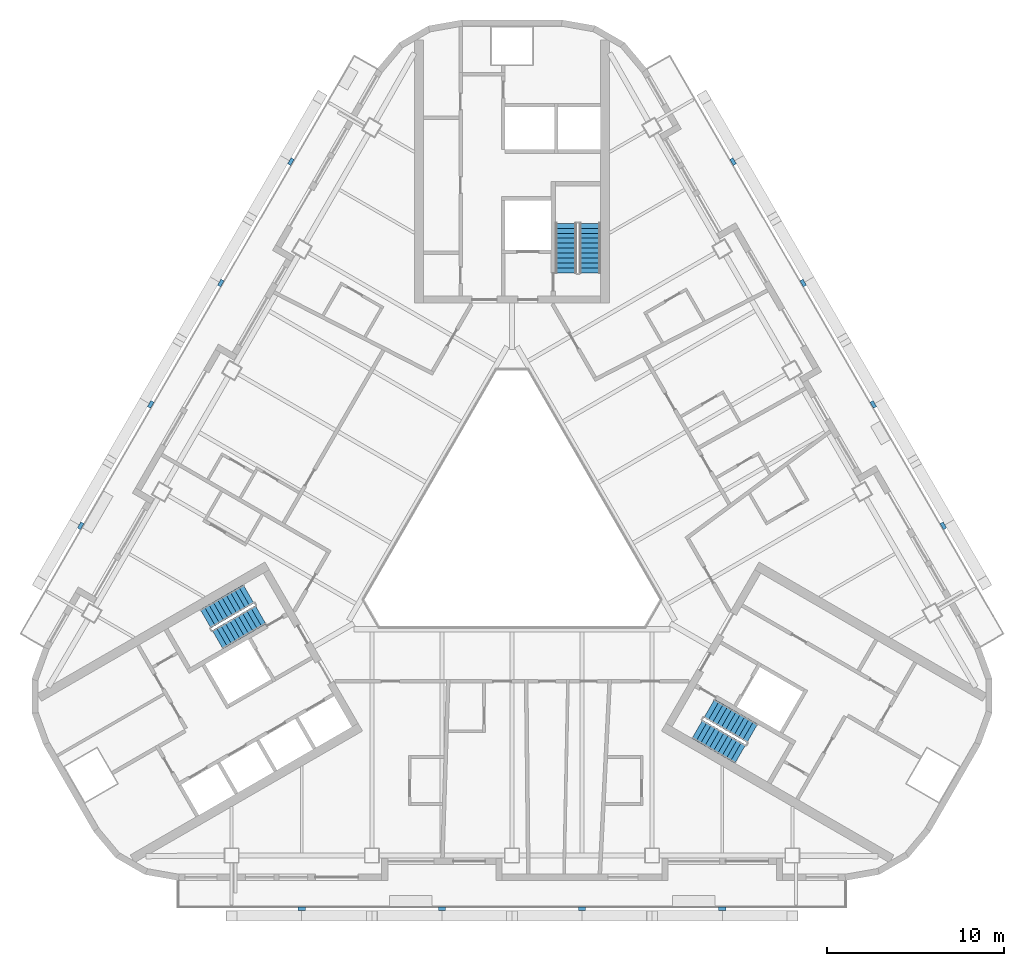
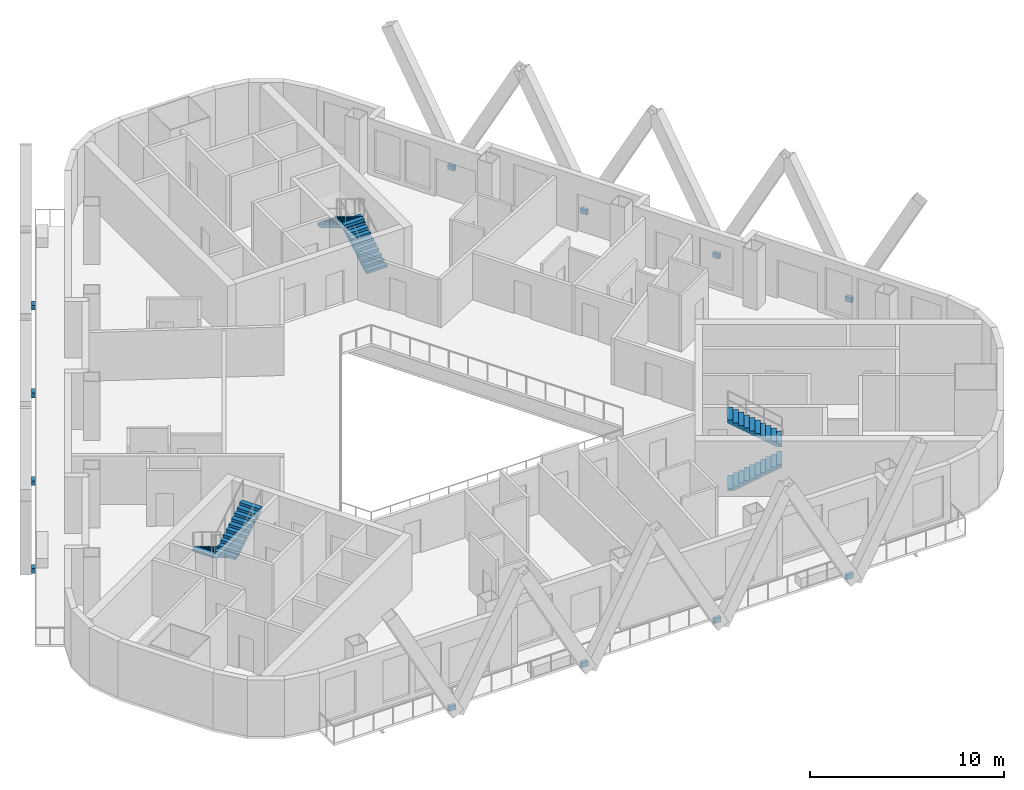
# One storey, part 8 of 14: 12 discrete accessories, 6 stair flights, 3 elements without a shape of their own.
"""IFC4 building model written with IfcOpenShell, lengths in metres."""

from ifc_helpers import new_model, si_unit, direction, frame, origin, origin_2d, place, context, subcontext, project, spatial, polyline, rectangle, outline, extrude, material, type_object, element, aggregate, save


model = new_model("IFC4")

# Units and contexts
model_context = context("Model", 3, precision=1e-05, world=origin(), true_north=direction((0.0, 1.0)))
body_context = subcontext(model_context, "Body", "Model", "MODEL_VIEW")
ifc_project = project(units=[si_unit("LENGTHUNIT", "METRE"), si_unit("AREAUNIT", "SQUARE_METRE"), si_unit("VOLUMEUNIT", "CUBIC_METRE"), si_unit("PLANEANGLEUNIT", "RADIAN"), si_unit("MASSUNIT", "GRAM", prefix="KILO")], contexts=[model_context])

# Site, building, storey
site_placement = place(None, origin())
site = spatial("IfcSite", under=ifc_project, at=site_placement, CompositionType="ELEMENT")
building_placement = place(site_placement, origin())
building = spatial("IfcBuilding", under=site, at=building_placement, Name="Apuvela Tower Hotel", CompositionType="ELEMENT")
storey_placement = place(building_placement, frame((0.0, 0.0, 168.800048828125)))
storey = spatial("IfcBuildingStorey", under=building, at=storey_placement, Name="L40", CompositionType="ELEMENT", Elevation=168.800048828125)

# Stair, stair flights
ifc_material_1 = material(Name="Concrete C50/60", Category="concrete")
stair_type = type_object("IfcStairType", Name="COR-STAIR-22R", PredefinedType="HALF_TURN_STAIR", material=ifc_material_1)
stair_1_placement = place(storey_placement, origin())
stair_1 = element("IfcStair", 1, at=stair_1_placement, inside=storey, type_object=stair_type, Name="L40 Exit stair ST1", PredefinedType="HALF_TURN_STAIR")
stair_flight_type = type_object("IfcStairFlightType", Name="COR-FLIGHT-11R", PredefinedType="STRAIGHT", material=ifc_material_1)
stair_flight_1_placement = place(storey_placement, frame((4.39990234375, 14.60009765625, 0.0), z_axis=(0.0, 0.0, 1.0), x_axis=(0.0, 1.0, 0.0)))
stair_flight_1 = element("IfcStairFlight", 2, at=stair_flight_1_placement, type_object=stair_flight_type, Name="ST1 flight 1", NumberOfRisers=11, NumberOfTreads=10, PredefinedType="STRAIGHT", RiserHeight=0.168181818, TreadLength=0.28, context=body_context, shape_type="SweptSolid", body=[
    extrude(outline(polyline([(0.0, 0.0), (0.0, 0.168212890625), (0.280029296875, 0.168212890625), (0.280029296875, 0.33642578125), (0.56005859375, 0.33642578125), (0.56005859375, 0.504638671875), (0.840087890625, 0.504638671875), (0.840087890625, 0.672607421875), (1.1201171875, 0.672607421875), (1.1201171875, 0.8408203125), (1.39990234375, 0.8408203125), (1.39990234375, 1.009033203125), (1.679931640625, 1.009033203125), (1.679931640625, 1.17724609375), (1.9599609375, 1.17724609375), (1.9599609375, 1.345458984375), (2.239990234375, 1.345458984375), (2.239990234375, 1.513671875), (2.52001953125, 1.513671875), (2.52001953125, 1.681884765625), (2.800048828125, 1.681884765625), (2.800048828125, 1.85009765625), (2.800048828125, 1.5068359375), (0.291015625, 0.0), (0.0, 0.0)])), frame((0.0, 0.60009765625, 0.0), z_axis=(0.0, -1.0, 0.0), x_axis=(1.0, 0.0, 0.0)), (0.0, 0.0, 1.0), 1.199951171875),
])
stair_flight_2_placement = place(storey_placement, frame((3.050048828125, 17.39990234375, 1.849853515625), z_axis=(0.0, 0.0, 1.0), x_axis=(0.0, -1.0, 0.0)))
stair_flight_2 = element("IfcStairFlight", 3, at=stair_flight_2_placement, type_object=stair_flight_type, Name="ST1 flight 2", NumberOfRisers=11, NumberOfTreads=10, PredefinedType="STRAIGHT", RiserHeight=0.168181818, TreadLength=0.28, context=body_context, shape_type="SweptSolid", body=[
    extrude(outline(polyline([(0.0, 0.0), (0.0, 0.168212890625), (0.280029296875, 0.168212890625), (0.280029296875, 0.33642578125), (0.56005859375, 0.33642578125), (0.56005859375, 0.504638671875), (0.840087890625, 0.504638671875), (0.840087890625, 0.672607421875), (1.1201171875, 0.672607421875), (1.1201171875, 0.8408203125), (1.39990234375, 0.8408203125), (1.39990234375, 1.009033203125), (1.679931640625, 1.009033203125), (1.679931640625, 1.17724609375), (1.9599609375, 1.17724609375), (1.9599609375, 1.345458984375), (2.239990234375, 1.345458984375), (2.239990234375, 1.513671875), (2.52001953125, 1.513671875), (2.52001953125, 1.681884765625), (2.800048828125, 1.681884765625), (2.800048828125, 1.85009765625), (2.800048828125, 1.5068359375), (0.291015625, 0.0), (0.0, 0.0)])), frame((0.0, 0.60009765625, 0.0), z_axis=(0.0, -1.0, 0.0), x_axis=(1.0, 0.0, 0.0)), (0.0, 0.0, 1.0), 1.199951171875),
])
aggregate(stair_1, [stair_flight_1, stair_flight_2])

stair_2_placement = place(storey_placement, origin())
stair_2 = element("IfcStair", 4, at=stair_2_placement, inside=storey, type_object=stair_type, Name="L40 Exit stair ST2", PredefinedType="HALF_TURN_STAIR")
stair_flight_3_placement = place(storey_placement, frame((-14.843994140625, -3.489501953125, 0.0), z_axis=(0.0, 0.0, 1.0), x_axis=(-0.866025403784, -0.5, 0.0)))
stair_flight_3 = element("IfcStairFlight", 5, at=stair_flight_3_placement, type_object=stair_flight_type, Name="ST2 flight 1", NumberOfRisers=11, NumberOfTreads=10, PredefinedType="STRAIGHT", RiserHeight=0.168181818, TreadLength=0.28, context=body_context, shape_type="SweptSolid", body=[
    extrude(outline(polyline([(0.0, 0.0), (0.0, 0.168212890625), (0.280029296875, 0.168212890625), (0.280029296875, 0.33642578125), (0.56005859375, 0.33642578125), (0.56005859375, 0.504638671875), (0.840087890625, 0.504638671875), (0.840087890625, 0.672607421875), (1.1201171875, 0.672607421875), (1.1201171875, 0.8408203125), (1.39990234375, 0.8408203125), (1.39990234375, 1.009033203125), (1.679931640625, 1.009033203125), (1.679931640625, 1.17724609375), (1.9599609375, 1.17724609375), (1.9599609375, 1.345458984375), (2.239990234375, 1.345458984375), (2.239990234375, 1.513671875), (2.52001953125, 1.513671875), (2.52001953125, 1.681884765625), (2.800048828125, 1.681884765625), (2.800048828125, 1.85009765625), (2.800048828125, 1.5068359375), (0.291015625, 0.0), (0.0, 0.0)])), frame((0.0, 0.60009765625, 0.0), z_axis=(0.0, -1.0, 0.0), x_axis=(1.0, 0.0, 0.0)), (0.0, 0.0, 1.0), 1.199951171875),
])
stair_flight_4_placement = place(storey_placement, frame((-16.59375, -6.05859375, 1.849853515625), z_axis=(0.0, 0.0, 1.0), x_axis=(0.866025403784, 0.5, 0.0)))
stair_flight_4 = element("IfcStairFlight", 6, at=stair_flight_4_placement, type_object=stair_flight_type, Name="ST2 flight 2", NumberOfRisers=11, NumberOfTreads=10, PredefinedType="STRAIGHT", RiserHeight=0.168181818, TreadLength=0.28, context=body_context, shape_type="SweptSolid", body=[
    extrude(outline(polyline([(0.0, 0.0), (0.0, 0.168212890625), (0.280029296875, 0.168212890625), (0.280029296875, 0.33642578125), (0.56005859375, 0.33642578125), (0.56005859375, 0.504638671875), (0.840087890625, 0.504638671875), (0.840087890625, 0.672607421875), (1.1201171875, 0.672607421875), (1.1201171875, 0.8408203125), (1.39990234375, 0.8408203125), (1.39990234375, 1.009033203125), (1.679931640625, 1.009033203125), (1.679931640625, 1.17724609375), (1.9599609375, 1.17724609375), (1.9599609375, 1.345458984375), (2.239990234375, 1.345458984375), (2.239990234375, 1.513671875), (2.52001953125, 1.513671875), (2.52001953125, 1.681884765625), (2.800048828125, 1.681884765625), (2.800048828125, 1.85009765625), (2.800048828125, 1.5068359375), (0.291015625, 0.0), (0.0, 0.0)])), frame((0.0, 0.60009765625, 0.0), z_axis=(0.0, -1.0, 0.0), x_axis=(1.0, 0.0, 0.0)), (0.0, 0.0, 1.0), 1.199951171875),
])
aggregate(stair_2, [stair_flight_3, stair_flight_4])

stair_3_placement = place(storey_placement, origin())
stair_3 = element("IfcStair", 7, at=stair_3_placement, inside=storey, type_object=stair_type, Name="L40 Exit stair ST3", PredefinedType="HALF_TURN_STAIR")
stair_flight_5_placement = place(storey_placement, frame((10.444091796875, -11.110595703125, 0.0), z_axis=(0.0, 0.0, 1.0), x_axis=(0.866025403784, -0.5, 0.0)))
stair_flight_5 = element("IfcStairFlight", 8, at=stair_flight_5_placement, type_object=stair_flight_type, Name="ST3 flight 1", NumberOfRisers=11, NumberOfTreads=10, PredefinedType="STRAIGHT", RiserHeight=0.168181818, TreadLength=0.28, context=body_context, shape_type="SweptSolid", body=[
    extrude(outline(polyline([(0.0, 0.0), (0.0, 0.168212890625), (0.280029296875, 0.168212890625), (0.280029296875, 0.33642578125), (0.56005859375, 0.33642578125), (0.56005859375, 0.504638671875), (0.840087890625, 0.504638671875), (0.840087890625, 0.672607421875), (1.1201171875, 0.672607421875), (1.1201171875, 0.8408203125), (1.39990234375, 0.8408203125), (1.39990234375, 1.009033203125), (1.679931640625, 1.009033203125), (1.679931640625, 1.17724609375), (1.9599609375, 1.17724609375), (1.9599609375, 1.345458984375), (2.239990234375, 1.345458984375), (2.239990234375, 1.513671875), (2.52001953125, 1.513671875), (2.52001953125, 1.681884765625), (2.800048828125, 1.681884765625), (2.800048828125, 1.85009765625), (2.800048828125, 1.5068359375), (0.291015625, 0.0), (0.0, 0.0)])), frame((0.0, 0.60009765625, 0.0), z_axis=(0.0, -1.0, 0.0), x_axis=(1.0, 0.0, 0.0)), (0.0, 0.0, 1.0), 1.199951171875),
])
stair_flight_6_placement = place(storey_placement, frame((13.5439453125, -11.34130859375, 1.849853515625), z_axis=(0.0, 0.0, 1.0), x_axis=(-0.866025403784, 0.5, 0.0)))
stair_flight_6 = element("IfcStairFlight", 9, at=stair_flight_6_placement, type_object=stair_flight_type, Name="ST3 flight 2", NumberOfRisers=11, NumberOfTreads=10, PredefinedType="STRAIGHT", RiserHeight=0.168181818, TreadLength=0.28, context=body_context, shape_type="SweptSolid", body=[
    extrude(outline(polyline([(0.0, 0.0), (0.0, 0.168212890625), (0.280029296875, 0.168212890625), (0.280029296875, 0.33642578125), (0.56005859375, 0.33642578125), (0.56005859375, 0.504638671875), (0.840087890625, 0.504638671875), (0.840087890625, 0.672607421875), (1.1201171875, 0.672607421875), (1.1201171875, 0.8408203125), (1.39990234375, 0.8408203125), (1.39990234375, 1.009033203125), (1.679931640625, 1.009033203125), (1.679931640625, 1.17724609375), (1.9599609375, 1.17724609375), (1.9599609375, 1.345458984375), (2.239990234375, 1.345458984375), (2.239990234375, 1.513671875), (2.52001953125, 1.513671875), (2.52001953125, 1.681884765625), (2.800048828125, 1.681884765625), (2.800048828125, 1.85009765625), (2.800048828125, 1.5068359375), (0.291015625, 0.0), (0.0, 0.0)])), frame((0.0, 0.60009765625, 0.0), z_axis=(0.0, -1.0, 0.0), x_axis=(1.0, 0.0, 0.0)), (0.0, 0.0, 1.0), 1.199951171875),
])
aggregate(stair_3, [stair_flight_5, stair_flight_6])

# Discrete accessories
ifc_material_2 = material(Name="Steel S355, black paint system", Category="steel")
discrete_accessory_type = type_object("IfcDiscreteAccessoryType", Name="ENV-FIN-BRACKET", PredefinedType="BRACKET", material=ifc_material_2)
for number, where, z_axis, x_axis, name in (
    (10, (24.310791015625, 0.3525390625, -0.25), (0.0, 0.0, 1.0), (-0.5, 0.866025403784, 0.0), "Fin bracket NE74"),
    (11, (20.360595703125, 7.194091796875, -0.25), (0.0, 0.0, 1.0), (-0.5, 0.866025403784, 0.0), "Fin bracket NE75"),
    (12, (16.41064453125, 14.035888671875, -0.25), (0.0, 0.0, 1.0), (-0.5, 0.866025403784, 0.0), "Fin bracket NE76"),
    (13, (12.460693359375, 20.87744140625, -0.25), (0.0, 0.0, 1.0), (-0.5, 0.866025403784, 0.0), "Fin bracket NE77"),
    (14, (-12.460693359375, 20.87744140625, -0.25), (0.0, 0.0, 1.0), (-0.5, -0.866025403784, 0.0), "Fin bracket NW223"),
    (15, (-16.41064453125, 14.035888671875, -0.25), (0.0, 0.0, 1.0), (-0.5, -0.866025403784, 0.0), "Fin bracket NW224"),
    (16, (-20.360595703125, 7.194091796875, -0.25), (0.0, 0.0, 1.0), (-0.5, -0.866025403784, 0.0), "Fin bracket NW225"),
    (17, (-24.310791015625, 0.3525390625, -0.25), (0.0, 0.0, 1.0), (-0.5, -0.866025403784, 0.0), "Fin bracket NW226"),
    (18, (-11.85009765625, -21.22998046875, -0.25), (0.0, 0.0, 1.0), (1.0, 0.0, 0.0), "Fin bracket S373"),
    (19, (-3.949951171875, -21.22998046875, -0.25), (0.0, 0.0, 1.0), (1.0, 0.0, 0.0), "Fin bracket S374"),
    (20, (3.949951171875, -21.22998046875, -0.25), (0.0, 0.0, 1.0), (1.0, 0.0, 0.0), "Fin bracket S375"),
    (21, (11.85009765625, -21.22998046875, -0.25), (0.0, 0.0, 1.0), (1.0, 0.0, 0.0), "Fin bracket S376"),
):
    element("IfcDiscreteAccessory", number, at=place(storey_placement, frame(where, z_axis=z_axis, x_axis=x_axis)), inside=storey, type_object=discrete_accessory_type, Name=name, PredefinedType="BRACKET", context=body_context, shape_type="SweptSolid", body=[
        extrude(rectangle(XDim=0.39990234375, YDim=0.199951171875, at=origin_2d()), origin(), (0.0, 0.0, 1.0), 0.300048828125),
    ])

save(model, "model.ifc")
